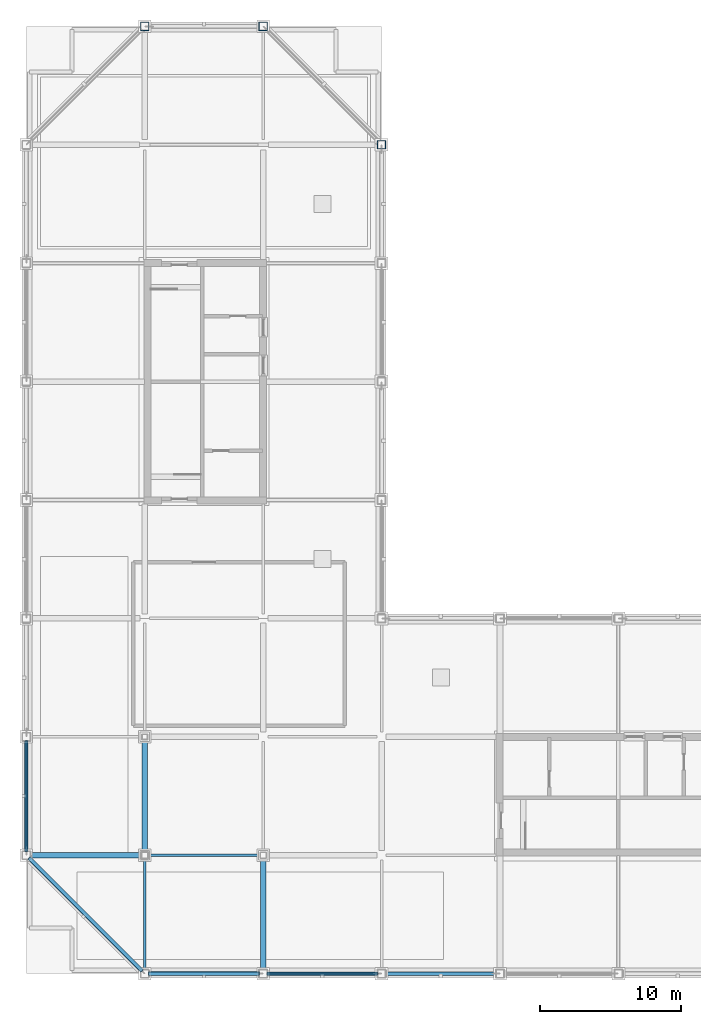
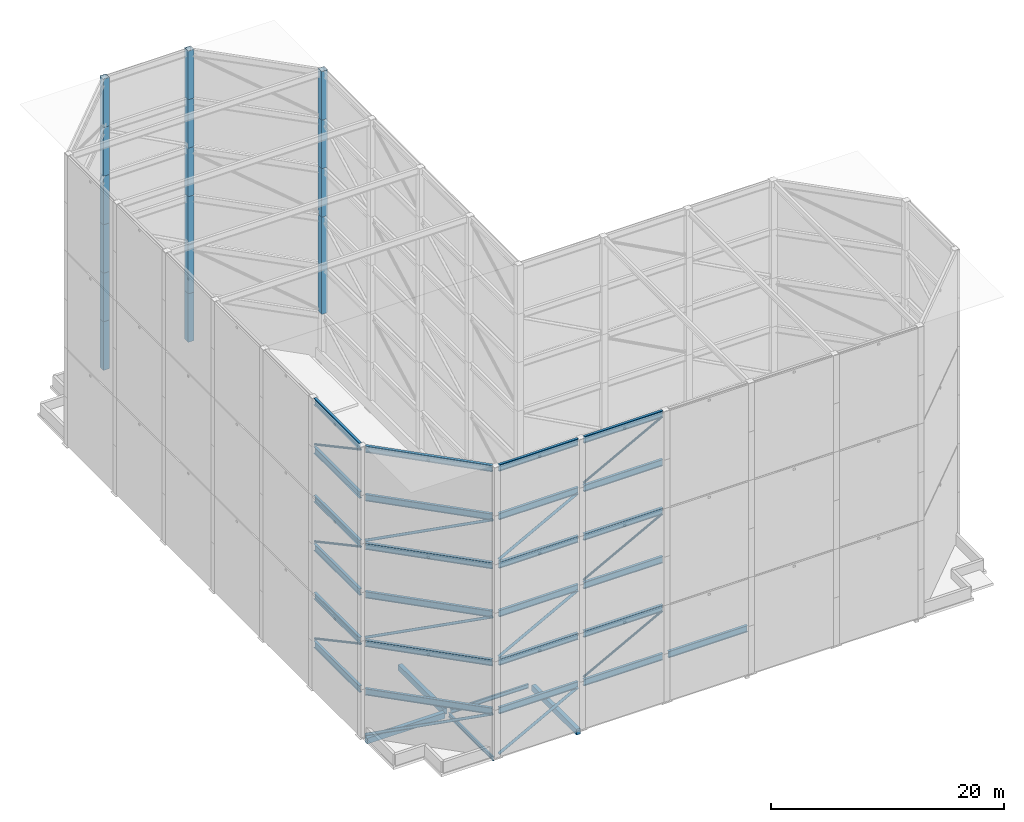
# One storey, part 3 of 17: 30 beams, 17 columns, 12 members.
"""IFC4 building model written with IfcOpenShell, lengths in metres."""

from ifc_helpers import new_model, si_unit, direction, frame, origin, origin_2d, place, context, subcontext, project, spatial, rectangle, hollow_rectangle, hollow_circle, i_section, extrude, material, material_profile, profile_set, type_object, element, save


model = new_model("IFC4")

# Units and contexts
model_context = context("Model", 3, precision=1e-05, world=origin(), true_north=direction((0.0, 1.0)))
body_context = subcontext(model_context, "Body", "Model", "MODEL_VIEW")
ifc_project = project(units=[si_unit("LENGTHUNIT", "METRE"), si_unit("AREAUNIT", "SQUARE_METRE"), si_unit("VOLUMEUNIT", "CUBIC_METRE"), si_unit("PLANEANGLEUNIT", "RADIAN"), si_unit("MASSUNIT", "GRAM", prefix="KILO")], contexts=[model_context])

# Site, building, storey
site_placement = place(None, origin())
site = spatial("IfcSite", under=ifc_project, at=site_placement, CompositionType="ELEMENT")
building_placement = place(site_placement, origin())
building = spatial("IfcBuilding", under=site, at=building_placement, Name="Koriwani Terraces Tower", CompositionType="ELEMENT")
storey_placement = place(building_placement, frame((0.0, 0.0, 374.0)))
storey = spatial("IfcBuildingStorey", under=building, at=storey_placement, Name="RF", CompositionType="ELEMENT", Elevation=374.0)

# Columns
ifc_material_1 = material(Name="Steel ASTM A572 Grade 50", Category="steel")
ifc_material_profile_1 = material_profile(ifc_material_1, hollow_rectangle(XDim=0.60009765625, YDim=0.60009765625, WallThickness=0.02490234375, at=origin_2d()), Name="Steel ASTM A572 Grade 50", Category="LoadBearing")
ifc_profile_set_1 = profile_set([ifc_material_profile_1], Name="Steel ASTM A572 Grade 50")
column_type = type_object("IfcColumnType", Name="CROWN_FRAME_COL_HSS600X600X25", PredefinedType="USERDEFINED", material=ifc_profile_set_1)
column_1_placement = place(storey_placement, frame((33.60009765625, 67.199951171875, 5.090087890625), z_axis=(0.0, 0.0, 1.0), x_axis=(1.0, 0.0, 0.0)))
element("IfcColumn", 1, at=column_1_placement, inside=storey, type_object=column_type, Name="CROWN FRAME Tier 2 Column P16", ObjectType="CROWN FRAME", PredefinedType="USERDEFINED", context=body_context, shape_type="SweptSolid", body=[
    extrude(hollow_rectangle(XDim=0.60009765625, YDim=0.60009765625, WallThickness=0.02490234375, at=origin_2d()), origin(), (0.0, 0.0, 1.0), 5.08984375),
])
for number, where, z_axis, x_axis, name in (
    (2, (33.60009765625, 67.199951171875, 10.179931640625), (0.0, 0.0, 1.0), (1.0, 0.0, 0.0), "CROWN FRAME Tier 3 Column P16"),
    (3, (33.60009765625, 67.199951171875, 15.27001953125), (0.0, 0.0, 1.0), (1.0, 0.0, 0.0), "CROWN FRAME Tier 4 Column P16"),
):
    element("IfcColumn", number, at=place(storey_placement, frame(where, z_axis=z_axis, x_axis=x_axis)), inside=storey, type_object=column_type, Name=name, ObjectType="CROWN FRAME", PredefinedType="USERDEFINED", context=body_context, shape_type="SweptSolid", body=[
        extrude(hollow_rectangle(XDim=0.60009765625, YDim=0.60009765625, WallThickness=0.02490234375, at=origin_2d()), origin(), (0.0, 0.0, 1.0), 5.090087890625),
    ])
column_2_placement = place(storey_placement, frame((33.60009765625, 67.199951171875, 20.360107421875), z_axis=(0.0, 0.0, 1.0), x_axis=(1.0, 0.0, 0.0)))
element("IfcColumn", 4, at=column_2_placement, inside=storey, type_object=column_type, Name="CROWN FRAME Tier 5 Column P16", ObjectType="CROWN FRAME", PredefinedType="USERDEFINED", context=body_context, shape_type="SweptSolid", body=[
    extrude(hollow_rectangle(XDim=0.60009765625, YDim=0.60009765625, WallThickness=0.02490234375, at=origin_2d()), origin(), (0.0, 0.0, 1.0), 5.08984375),
])
for number, where, z_axis, x_axis, name in (
    (5, (33.60009765625, 67.199951171875, 25.449951171875), (0.0, 0.0, 1.0), (1.0, 0.0, 0.0), "CROWN FRAME Tier 6 Column P16"),
    (6, (25.199951171875, 75.60009765625, 0.0), (0.0, 0.0, 1.0), (1.0, 0.0, 0.0), "CROWN FRAME Tier 1 Column P17"),
):
    element("IfcColumn", number, at=place(storey_placement, frame(where, z_axis=z_axis, x_axis=x_axis)), inside=storey, type_object=column_type, Name=name, ObjectType="CROWN FRAME", PredefinedType="USERDEFINED", context=body_context, shape_type="SweptSolid", body=[
        extrude(hollow_rectangle(XDim=0.60009765625, YDim=0.60009765625, WallThickness=0.02490234375, at=origin_2d()), origin(), (0.0, 0.0, 1.0), 5.090087890625),
    ])
column_3_placement = place(storey_placement, frame((25.199951171875, 75.60009765625, 5.090087890625), z_axis=(0.0, 0.0, 1.0), x_axis=(1.0, 0.0, 0.0)))
element("IfcColumn", 7, at=column_3_placement, inside=storey, type_object=column_type, Name="CROWN FRAME Tier 2 Column P17", ObjectType="CROWN FRAME", PredefinedType="USERDEFINED", context=body_context, shape_type="SweptSolid", body=[
    extrude(hollow_rectangle(XDim=0.60009765625, YDim=0.60009765625, WallThickness=0.02490234375, at=origin_2d()), origin(), (0.0, 0.0, 1.0), 5.08984375),
])
for number, where, z_axis, x_axis, name in (
    (8, (25.199951171875, 75.60009765625, 10.179931640625), (0.0, 0.0, 1.0), (1.0, 0.0, 0.0), "CROWN FRAME Tier 3 Column P17"),
    (9, (25.199951171875, 75.60009765625, 15.27001953125), (0.0, 0.0, 1.0), (1.0, 0.0, 0.0), "CROWN FRAME Tier 4 Column P17"),
):
    element("IfcColumn", number, at=place(storey_placement, frame(where, z_axis=z_axis, x_axis=x_axis)), inside=storey, type_object=column_type, Name=name, ObjectType="CROWN FRAME", PredefinedType="USERDEFINED", context=body_context, shape_type="SweptSolid", body=[
        extrude(hollow_rectangle(XDim=0.60009765625, YDim=0.60009765625, WallThickness=0.02490234375, at=origin_2d()), origin(), (0.0, 0.0, 1.0), 5.090087890625),
    ])
column_4_placement = place(storey_placement, frame((25.199951171875, 75.60009765625, 20.360107421875), z_axis=(0.0, 0.0, 1.0), x_axis=(1.0, 0.0, 0.0)))
element("IfcColumn", 10, at=column_4_placement, inside=storey, type_object=column_type, Name="CROWN FRAME Tier 5 Column P17", ObjectType="CROWN FRAME", PredefinedType="USERDEFINED", context=body_context, shape_type="SweptSolid", body=[
    extrude(hollow_rectangle(XDim=0.60009765625, YDim=0.60009765625, WallThickness=0.02490234375, at=origin_2d()), origin(), (0.0, 0.0, 1.0), 5.08984375),
])
for number, where, z_axis, x_axis, name in (
    (11, (25.199951171875, 75.60009765625, 25.449951171875), (0.0, 0.0, 1.0), (1.0, 0.0, 0.0), "CROWN FRAME Tier 6 Column P17"),
    (12, (16.800048828125, 75.60009765625, 0.0), (0.0, 0.0, 1.0), (1.0, 0.0, 0.0), "CROWN FRAME Tier 1 Column P18"),
):
    element("IfcColumn", number, at=place(storey_placement, frame(where, z_axis=z_axis, x_axis=x_axis)), inside=storey, type_object=column_type, Name=name, ObjectType="CROWN FRAME", PredefinedType="USERDEFINED", context=body_context, shape_type="SweptSolid", body=[
        extrude(hollow_rectangle(XDim=0.60009765625, YDim=0.60009765625, WallThickness=0.02490234375, at=origin_2d()), origin(), (0.0, 0.0, 1.0), 5.090087890625),
    ])
column_5_placement = place(storey_placement, frame((16.800048828125, 75.60009765625, 5.090087890625), z_axis=(0.0, 0.0, 1.0), x_axis=(1.0, 0.0, 0.0)))
element("IfcColumn", 13, at=column_5_placement, inside=storey, type_object=column_type, Name="CROWN FRAME Tier 2 Column P18", ObjectType="CROWN FRAME", PredefinedType="USERDEFINED", context=body_context, shape_type="SweptSolid", body=[
    extrude(hollow_rectangle(XDim=0.60009765625, YDim=0.60009765625, WallThickness=0.02490234375, at=origin_2d()), origin(), (0.0, 0.0, 1.0), 5.08984375),
])
for number, where, z_axis, x_axis, name in (
    (14, (16.800048828125, 75.60009765625, 10.179931640625), (0.0, 0.0, 1.0), (1.0, 0.0, 0.0), "CROWN FRAME Tier 3 Column P18"),
    (15, (16.800048828125, 75.60009765625, 15.27001953125), (0.0, 0.0, 1.0), (1.0, 0.0, 0.0), "CROWN FRAME Tier 4 Column P18"),
):
    element("IfcColumn", number, at=place(storey_placement, frame(where, z_axis=z_axis, x_axis=x_axis)), inside=storey, type_object=column_type, Name=name, ObjectType="CROWN FRAME", PredefinedType="USERDEFINED", context=body_context, shape_type="SweptSolid", body=[
        extrude(hollow_rectangle(XDim=0.60009765625, YDim=0.60009765625, WallThickness=0.02490234375, at=origin_2d()), origin(), (0.0, 0.0, 1.0), 5.090087890625),
    ])
column_6_placement = place(storey_placement, frame((16.800048828125, 75.60009765625, 20.360107421875), z_axis=(0.0, 0.0, 1.0), x_axis=(1.0, 0.0, 0.0)))
element("IfcColumn", 16, at=column_6_placement, inside=storey, type_object=column_type, Name="CROWN FRAME Tier 5 Column P18", ObjectType="CROWN FRAME", PredefinedType="USERDEFINED", context=body_context, shape_type="SweptSolid", body=[
    extrude(hollow_rectangle(XDim=0.60009765625, YDim=0.60009765625, WallThickness=0.02490234375, at=origin_2d()), origin(), (0.0, 0.0, 1.0), 5.08984375),
])
column_7_placement = place(storey_placement, frame((16.800048828125, 75.60009765625, 25.449951171875), z_axis=(0.0, 0.0, 1.0), x_axis=(1.0, 0.0, 0.0)))
element("IfcColumn", 17, at=column_7_placement, inside=storey, type_object=column_type, Name="CROWN FRAME Tier 6 Column P18", ObjectType="CROWN FRAME", PredefinedType="USERDEFINED", context=body_context, shape_type="SweptSolid", body=[
    extrude(hollow_rectangle(XDim=0.60009765625, YDim=0.60009765625, WallThickness=0.02490234375, at=origin_2d()), origin(), (0.0, 0.0, 1.0), 5.090087890625),
])

# Beams
ifc_material_2 = material(Name="Concrete C40/50", Category="concrete")
ifc_material_profile_2 = material_profile(ifc_material_2, rectangle(XDim=0.39990234375, YDim=0.60009765625, at=origin_2d()), Name="Concrete C40/50", Category="LoadBearing")
ifc_profile_set_2 = profile_set([ifc_material_profile_2], Name="Concrete C40/50")
beam_type_1 = type_object("IfcBeamType", Name="BEAM_RC_GRID_400X600", PredefinedType="BEAM", material=ifc_profile_set_2)
beam_1_placement = place(storey_placement, frame((8.780029296875, 16.800048828125, -0.580078125), z_axis=(1.0, 0.0, 0.0), x_axis=(0.0, 1.0, 0.0)))
element("IfcBeam", 18, at=beam_1_placement, inside=storey, type_object=beam_type_1, Name="RF Grid Beam C (8.4-16.8m)", PredefinedType="BEAM", context=body_context, shape_type="SweptSolid", body=[
    extrude(rectangle(XDim=0.39990234375, YDim=0.60009765625, at=origin_2d()), origin(), (0.0, 0.0, 1.0), 7.68994140625),
])
beam_2_placement = place(storey_placement, frame((16.800048828125, 17.1298828125, -0.580078125), z_axis=(0.0, 1.0, 0.0), x_axis=(-1.0, 0.0, 0.0)))
element("IfcBeam", 19, at=beam_2_placement, inside=storey, type_object=beam_type_1, Name="RF Grid Beam 3 (16.8-25.2m)", PredefinedType="BEAM", context=body_context, shape_type="SweptSolid", body=[
    extrude(rectangle(XDim=0.39990234375, YDim=0.60009765625, at=origin_2d()), origin(), (0.0, 0.0, 1.0), 7.740234375),
])
beam_3_placement = place(storey_placement, frame((25.199951171875, 8.780029296875, -0.580078125), z_axis=(0.0, 1.0, 0.0), x_axis=(-1.0, 0.0, 0.0)))
element("IfcBeam", 20, at=beam_3_placement, inside=storey, type_object=beam_type_1, Name="RF Grid Beam 4 (8.4-16.8m)", PredefinedType="BEAM", context=body_context, shape_type="SweptSolid", body=[
    extrude(rectangle(XDim=0.39990234375, YDim=0.60009765625, at=origin_2d()), origin(), (0.0, 0.0, 1.0), 7.68994140625),
])
ifc_material_profile_3 = material_profile(ifc_material_1, i_section(OverallWidth=0.256103515625, OverallDepth=0.693115234375, WebThickness=0.014404296875, FlangeThickness=0.023681640625, at=origin_2d()), Name="Steel ASTM A572 Grade 50", Category="LoadBearing")
ifc_profile_set_3 = profile_set([ifc_material_profile_3], Name="Steel ASTM A572 Grade 50")
beam_type_2 = type_object("IfcBeamType", Name="CROWN_FRAME_BEAM_W690X170", PredefinedType="USERDEFINED", material=ifc_profile_set_3)
beam_4_placement = place(storey_placement, frame((17.080078125, 8.39990234375, 20.013427734375), z_axis=(1.0, 0.0, 0.0), x_axis=(0.0, 1.0, 0.0)))
element("IfcBeam", 21, at=beam_4_placement, inside=storey, type_object=beam_type_2, Name="CROWN FRAME Tier 4 Ring Beam S01", ObjectType="CROWN FRAME", PredefinedType="USERDEFINED", context=body_context, shape_type="SweptSolid", body=[
    extrude(i_section(OverallWidth=0.256103515625, OverallDepth=0.693115234375, WebThickness=0.014404296875, FlangeThickness=0.023681640625, at=origin_2d()), origin(), (0.0, 0.0, 1.0), 7.83984375),
])
beam_5_placement = place(storey_placement, frame((25.47998046875, 8.39990234375, 20.013427734375), z_axis=(1.0, 0.0, 0.0), x_axis=(0.0, 1.0, 0.0)))
element("IfcBeam", 22, at=beam_5_placement, inside=storey, type_object=beam_type_2, Name="CROWN FRAME Tier 4 Ring Beam S02", ObjectType="CROWN FRAME", PredefinedType="USERDEFINED", context=body_context, shape_type="SweptSolid", body=[
    extrude(i_section(OverallWidth=0.256103515625, OverallDepth=0.693115234375, WebThickness=0.014404296875, FlangeThickness=0.023681640625, at=origin_2d()), origin(), (0.0, 0.0, 1.0), 7.840087890625),
])
beam_6_placement = place(storey_placement, frame((8.39990234375, 24.919921875, 20.013427734375), z_axis=(0.0, -1.0, 0.0), x_axis=(1.0, 0.0, 0.0)))
element("IfcBeam", 23, at=beam_6_placement, inside=storey, type_object=beam_type_2, Name="CROWN FRAME Tier 4 Ring Beam S24", ObjectType="CROWN FRAME", PredefinedType="USERDEFINED", context=body_context, shape_type="SweptSolid", body=[
    extrude(i_section(OverallWidth=0.256103515625, OverallDepth=0.693115234375, WebThickness=0.014404296875, FlangeThickness=0.023681640625, at=origin_2d()), origin(), (0.0, 0.0, 1.0), 7.83984375),
])
beam_7_placement = place(storey_placement, frame((8.597900390625, 16.60205078125, 20.013427734375), z_axis=(0.707106781187, -0.707106781187, 0.0), x_axis=(0.707106781187, 0.707106781187, 0.0)))
element("IfcBeam", 24, at=beam_7_placement, inside=storey, type_object=beam_type_2, Name="CROWN FRAME Tier 4 Ring Beam S25", ObjectType="CROWN FRAME", PredefinedType="USERDEFINED", context=body_context, shape_type="SweptSolid", body=[
    extrude(i_section(OverallWidth=0.256103515625, OverallDepth=0.693115234375, WebThickness=0.014404296875, FlangeThickness=0.023681640625, at=origin_2d()), origin(), (0.0, 0.0, 1.0), 11.319580078125),
])
beam_8_placement = place(storey_placement, frame((17.080078125, 8.39990234375, 25.103515625), z_axis=(1.0, 0.0, 0.0), x_axis=(0.0, 1.0, 0.0)))
element("IfcBeam", 25, at=beam_8_placement, inside=storey, type_object=beam_type_2, Name="CROWN FRAME Tier 5 Ring Beam S01", ObjectType="CROWN FRAME", PredefinedType="USERDEFINED", context=body_context, shape_type="SweptSolid", body=[
    extrude(i_section(OverallWidth=0.256103515625, OverallDepth=0.693115234375, WebThickness=0.014404296875, FlangeThickness=0.023681640625, at=origin_2d()), origin(), (0.0, 0.0, 1.0), 7.83984375),
])
beam_9_placement = place(storey_placement, frame((25.47998046875, 8.39990234375, 25.103515625), z_axis=(1.0, 0.0, 0.0), x_axis=(0.0, 1.0, 0.0)))
element("IfcBeam", 26, at=beam_9_placement, inside=storey, type_object=beam_type_2, Name="CROWN FRAME Tier 5 Ring Beam S02", ObjectType="CROWN FRAME", PredefinedType="USERDEFINED", context=body_context, shape_type="SweptSolid", body=[
    extrude(i_section(OverallWidth=0.256103515625, OverallDepth=0.693115234375, WebThickness=0.014404296875, FlangeThickness=0.023681640625, at=origin_2d()), origin(), (0.0, 0.0, 1.0), 7.840087890625),
])
beam_10_placement = place(storey_placement, frame((8.39990234375, 24.919921875, 25.103515625), z_axis=(0.0, -1.0, 0.0), x_axis=(1.0, 0.0, 0.0)))
element("IfcBeam", 27, at=beam_10_placement, inside=storey, type_object=beam_type_2, Name="CROWN FRAME Tier 5 Ring Beam S24", ObjectType="CROWN FRAME", PredefinedType="USERDEFINED", context=body_context, shape_type="SweptSolid", body=[
    extrude(i_section(OverallWidth=0.256103515625, OverallDepth=0.693115234375, WebThickness=0.014404296875, FlangeThickness=0.023681640625, at=origin_2d()), origin(), (0.0, 0.0, 1.0), 7.83984375),
])
beam_11_placement = place(storey_placement, frame((8.597900390625, 16.60205078125, 25.103515625), z_axis=(0.707106781187, -0.707106781187, 0.0), x_axis=(0.707106781187, 0.707106781187, 0.0)))
element("IfcBeam", 28, at=beam_11_placement, inside=storey, type_object=beam_type_2, Name="CROWN FRAME Tier 5 Ring Beam S25", ObjectType="CROWN FRAME", PredefinedType="USERDEFINED", context=body_context, shape_type="SweptSolid", body=[
    extrude(i_section(OverallWidth=0.256103515625, OverallDepth=0.693115234375, WebThickness=0.014404296875, FlangeThickness=0.023681640625, at=origin_2d()), origin(), (0.0, 0.0, 1.0), 11.319580078125),
])
beam_12_placement = place(storey_placement, frame((17.080078125, 8.39990234375, 30.193603515625), z_axis=(1.0, 0.0, 0.0), x_axis=(0.0, 1.0, 0.0)))
element("IfcBeam", 29, at=beam_12_placement, inside=storey, type_object=beam_type_2, Name="CROWN FRAME Tier 6 Ring Beam S01", ObjectType="CROWN FRAME", PredefinedType="USERDEFINED", context=body_context, shape_type="SweptSolid", body=[
    extrude(i_section(OverallWidth=0.256103515625, OverallDepth=0.693115234375, WebThickness=0.014404296875, FlangeThickness=0.023681640625, at=origin_2d()), origin(), (0.0, 0.0, 1.0), 7.83984375),
])
beam_13_placement = place(storey_placement, frame((25.47998046875, 8.39990234375, 30.193603515625), z_axis=(1.0, 0.0, 0.0), x_axis=(0.0, 1.0, 0.0)))
element("IfcBeam", 30, at=beam_13_placement, inside=storey, type_object=beam_type_2, Name="CROWN FRAME Tier 6 Ring Beam S02", ObjectType="CROWN FRAME", PredefinedType="USERDEFINED", context=body_context, shape_type="SweptSolid", body=[
    extrude(i_section(OverallWidth=0.256103515625, OverallDepth=0.693115234375, WebThickness=0.014404296875, FlangeThickness=0.023681640625, at=origin_2d()), origin(), (0.0, 0.0, 1.0), 7.840087890625),
])
beam_14_placement = place(storey_placement, frame((8.39990234375, 24.919921875, 30.193603515625), z_axis=(0.0, -1.0, 0.0), x_axis=(1.0, 0.0, 0.0)))
element("IfcBeam", 31, at=beam_14_placement, inside=storey, type_object=beam_type_2, Name="CROWN FRAME Tier 6 Ring Beam S24", ObjectType="CROWN FRAME", PredefinedType="USERDEFINED", context=body_context, shape_type="SweptSolid", body=[
    extrude(i_section(OverallWidth=0.256103515625, OverallDepth=0.693115234375, WebThickness=0.014404296875, FlangeThickness=0.023681640625, at=origin_2d()), origin(), (0.0, 0.0, 1.0), 7.83984375),
])
beam_15_placement = place(storey_placement, frame((8.597900390625, 16.60205078125, 30.193603515625), z_axis=(0.707106781187, -0.707106781187, 0.0), x_axis=(0.707106781187, 0.707106781187, 0.0)))
element("IfcBeam", 32, at=beam_15_placement, inside=storey, type_object=beam_type_2, Name="CROWN FRAME Tier 6 Ring Beam S25", ObjectType="CROWN FRAME", PredefinedType="USERDEFINED", context=body_context, shape_type="SweptSolid", body=[
    extrude(i_section(OverallWidth=0.256103515625, OverallDepth=0.693115234375, WebThickness=0.014404296875, FlangeThickness=0.023681640625, at=origin_2d()), origin(), (0.0, 0.0, 1.0), 11.319580078125),
])
ifc_material_profile_4 = material_profile(ifc_material_1, i_section(OverallWidth=0.2548828125, OverallDepth=0.695068359375, WebThickness=0.015380859375, FlangeThickness=0.02490234375, at=origin_2d()), Name="Steel ASTM A572 Grade 50", Category="LoadBearing")
ifc_profile_set_4 = profile_set([ifc_material_profile_4], Name="Steel ASTM A572 Grade 50")
beam_type_3 = type_object("IfcBeamType", Name="CROWN_FRAME_BEAM_W690X217", PredefinedType="USERDEFINED", material=ifc_profile_set_4)
beam_16_placement = place(storey_placement, frame((17.080078125, 8.39990234375, 4.742431640625), z_axis=(1.0, 0.0, 0.0), x_axis=(0.0, 1.0, 0.0)))
element("IfcBeam", 33, at=beam_16_placement, inside=storey, type_object=beam_type_3, Name="CROWN FRAME Tier 1 Ring Beam S01", ObjectType="CROWN FRAME", PredefinedType="USERDEFINED", context=body_context, shape_type="SweptSolid", body=[
    extrude(i_section(OverallWidth=0.2548828125, OverallDepth=0.695068359375, WebThickness=0.015380859375, FlangeThickness=0.02490234375, at=origin_2d()), origin(), (0.0, 0.0, 1.0), 7.83984375),
])
for number, where, z_axis, x_axis, name in (
    (34, (25.47998046875, 8.39990234375, 4.742431640625), (1.0, 0.0, 0.0), (0.0, 1.0, 0.0), "CROWN FRAME Tier 1 Ring Beam S02"),
    (35, (33.8798828125, 8.39990234375, 4.742431640625), (1.0, 0.0, 0.0), (0.0, 1.0, 0.0), "CROWN FRAME Tier 1 Ring Beam S03"),
):
    element("IfcBeam", number, at=place(storey_placement, frame(where, z_axis=z_axis, x_axis=x_axis)), inside=storey, type_object=beam_type_3, Name=name, ObjectType="CROWN FRAME", PredefinedType="USERDEFINED", context=body_context, shape_type="SweptSolid", body=[
        extrude(i_section(OverallWidth=0.2548828125, OverallDepth=0.695068359375, WebThickness=0.015380859375, FlangeThickness=0.02490234375, at=origin_2d()), origin(), (0.0, 0.0, 1.0), 7.840087890625),
    ])
beam_17_placement = place(storey_placement, frame((8.39990234375, 24.919921875, 4.742431640625), z_axis=(0.0, -1.0, 0.0), x_axis=(1.0, 0.0, 0.0)))
element("IfcBeam", 36, at=beam_17_placement, inside=storey, type_object=beam_type_3, Name="CROWN FRAME Tier 1 Ring Beam S24", ObjectType="CROWN FRAME", PredefinedType="USERDEFINED", context=body_context, shape_type="SweptSolid", body=[
    extrude(i_section(OverallWidth=0.2548828125, OverallDepth=0.695068359375, WebThickness=0.015380859375, FlangeThickness=0.02490234375, at=origin_2d()), origin(), (0.0, 0.0, 1.0), 7.83984375),
])
beam_18_placement = place(storey_placement, frame((8.597900390625, 16.60205078125, 4.742431640625), z_axis=(0.707106781187, -0.707106781187, 0.0), x_axis=(0.707106781187, 0.707106781187, 0.0)))
element("IfcBeam", 37, at=beam_18_placement, inside=storey, type_object=beam_type_3, Name="CROWN FRAME Tier 1 Ring Beam S25", ObjectType="CROWN FRAME", PredefinedType="USERDEFINED", context=body_context, shape_type="SweptSolid", body=[
    extrude(i_section(OverallWidth=0.2548828125, OverallDepth=0.695068359375, WebThickness=0.015380859375, FlangeThickness=0.02490234375, at=origin_2d()), origin(), (0.0, 0.0, 1.0), 11.319580078125),
])
beam_19_placement = place(storey_placement, frame((17.080078125, 8.39990234375, 9.83251953125), z_axis=(1.0, 0.0, 0.0), x_axis=(0.0, 1.0, 0.0)))
element("IfcBeam", 38, at=beam_19_placement, inside=storey, type_object=beam_type_3, Name="CROWN FRAME Tier 2 Ring Beam S01", ObjectType="CROWN FRAME", PredefinedType="USERDEFINED", context=body_context, shape_type="SweptSolid", body=[
    extrude(i_section(OverallWidth=0.2548828125, OverallDepth=0.695068359375, WebThickness=0.015380859375, FlangeThickness=0.02490234375, at=origin_2d()), origin(), (0.0, 0.0, 1.0), 7.83984375),
])
beam_20_placement = place(storey_placement, frame((25.47998046875, 8.39990234375, 9.83251953125), z_axis=(1.0, 0.0, 0.0), x_axis=(0.0, 1.0, 0.0)))
element("IfcBeam", 39, at=beam_20_placement, inside=storey, type_object=beam_type_3, Name="CROWN FRAME Tier 2 Ring Beam S02", ObjectType="CROWN FRAME", PredefinedType="USERDEFINED", context=body_context, shape_type="SweptSolid", body=[
    extrude(i_section(OverallWidth=0.2548828125, OverallDepth=0.695068359375, WebThickness=0.015380859375, FlangeThickness=0.02490234375, at=origin_2d()), origin(), (0.0, 0.0, 1.0), 7.840087890625),
])
beam_21_placement = place(storey_placement, frame((8.39990234375, 24.919921875, 9.83251953125), z_axis=(0.0, -1.0, 0.0), x_axis=(1.0, 0.0, 0.0)))
element("IfcBeam", 40, at=beam_21_placement, inside=storey, type_object=beam_type_3, Name="CROWN FRAME Tier 2 Ring Beam S24", ObjectType="CROWN FRAME", PredefinedType="USERDEFINED", context=body_context, shape_type="SweptSolid", body=[
    extrude(i_section(OverallWidth=0.2548828125, OverallDepth=0.695068359375, WebThickness=0.015380859375, FlangeThickness=0.02490234375, at=origin_2d()), origin(), (0.0, 0.0, 1.0), 7.83984375),
])
beam_22_placement = place(storey_placement, frame((8.597900390625, 16.60205078125, 9.83251953125), z_axis=(0.707106781187, -0.707106781187, 0.0), x_axis=(0.707106781187, 0.707106781187, 0.0)))
element("IfcBeam", 41, at=beam_22_placement, inside=storey, type_object=beam_type_3, Name="CROWN FRAME Tier 2 Ring Beam S25", ObjectType="CROWN FRAME", PredefinedType="USERDEFINED", context=body_context, shape_type="SweptSolid", body=[
    extrude(i_section(OverallWidth=0.2548828125, OverallDepth=0.695068359375, WebThickness=0.015380859375, FlangeThickness=0.02490234375, at=origin_2d()), origin(), (0.0, 0.0, 1.0), 11.319580078125),
])
beam_23_placement = place(storey_placement, frame((17.080078125, 8.39990234375, 14.922607421875), z_axis=(1.0, 0.0, 0.0), x_axis=(0.0, 1.0, 0.0)))
element("IfcBeam", 42, at=beam_23_placement, inside=storey, type_object=beam_type_3, Name="CROWN FRAME Tier 3 Ring Beam S01", ObjectType="CROWN FRAME", PredefinedType="USERDEFINED", context=body_context, shape_type="SweptSolid", body=[
    extrude(i_section(OverallWidth=0.2548828125, OverallDepth=0.695068359375, WebThickness=0.015380859375, FlangeThickness=0.02490234375, at=origin_2d()), origin(), (0.0, 0.0, 1.0), 7.83984375),
])
beam_24_placement = place(storey_placement, frame((25.47998046875, 8.39990234375, 14.922607421875), z_axis=(1.0, 0.0, 0.0), x_axis=(0.0, 1.0, 0.0)))
element("IfcBeam", 43, at=beam_24_placement, inside=storey, type_object=beam_type_3, Name="CROWN FRAME Tier 3 Ring Beam S02", ObjectType="CROWN FRAME", PredefinedType="USERDEFINED", context=body_context, shape_type="SweptSolid", body=[
    extrude(i_section(OverallWidth=0.2548828125, OverallDepth=0.695068359375, WebThickness=0.015380859375, FlangeThickness=0.02490234375, at=origin_2d()), origin(), (0.0, 0.0, 1.0), 7.840087890625),
])
beam_25_placement = place(storey_placement, frame((8.39990234375, 24.919921875, 14.922607421875), z_axis=(0.0, -1.0, 0.0), x_axis=(1.0, 0.0, 0.0)))
element("IfcBeam", 44, at=beam_25_placement, inside=storey, type_object=beam_type_3, Name="CROWN FRAME Tier 3 Ring Beam S24", ObjectType="CROWN FRAME", PredefinedType="USERDEFINED", context=body_context, shape_type="SweptSolid", body=[
    extrude(i_section(OverallWidth=0.2548828125, OverallDepth=0.695068359375, WebThickness=0.015380859375, FlangeThickness=0.02490234375, at=origin_2d()), origin(), (0.0, 0.0, 1.0), 7.83984375),
])
beam_26_placement = place(storey_placement, frame((8.597900390625, 16.60205078125, 14.922607421875), z_axis=(0.707106781187, -0.707106781187, 0.0), x_axis=(0.707106781187, 0.707106781187, 0.0)))
element("IfcBeam", 45, at=beam_26_placement, inside=storey, type_object=beam_type_3, Name="CROWN FRAME Tier 3 Ring Beam S25", ObjectType="CROWN FRAME", PredefinedType="USERDEFINED", context=body_context, shape_type="SweptSolid", body=[
    extrude(i_section(OverallWidth=0.2548828125, OverallDepth=0.695068359375, WebThickness=0.015380859375, FlangeThickness=0.02490234375, at=origin_2d()), origin(), (0.0, 0.0, 1.0), 11.319580078125),
])

# Members
ifc_material_profile_5 = material_profile(ifc_material_1, hollow_circle(Radius=0.109619140625, WallThickness=0.008056640625, at=origin_2d()), Name="Steel ASTM A572 Grade 50", Category="LoadBearing")
ifc_profile_set_5 = profile_set([ifc_material_profile_5], Name="Steel ASTM A572 Grade 50")
member_type_1 = type_object("IfcMemberType", Name="CROWN_FRAME_BRACE_CHS219X8", PredefinedType="USERDEFINED", material=ifc_profile_set_5)
for number, where, z_axis, x_axis, name in (
    (46, (25.47998046875, 8.39990234375, 5.2900390625), (0.880787078054, 0.0, 0.473512537462), (0.0, 1.0, 0.0), "CROWN FRAME Tier 2 Diagonal Brace S02"),
    (47, (8.39990234375, 24.919921875, 5.2900390625), (0.0, -0.880780928144, 0.473523976815), (1.0, 0.0, 0.0), "CROWN FRAME Tier 2 Diagonal Brace S24"),
):
    element("IfcMember", number, at=place(storey_placement, frame(where, z_axis=z_axis, x_axis=x_axis)), inside=storey, type_object=member_type_1, Name=name, ObjectType="CROWN FRAME", PredefinedType="USERDEFINED", context=body_context, shape_type="SweptSolid", body=[
        extrude(hollow_circle(Radius=0.109619140625, WallThickness=0.008056640625, at=origin_2d()), origin(), (0.0, 0.0, 1.0), 8.901123046875),
    ])
member_1_placement = place(storey_placement, frame((25.47998046875, 8.39990234375, 15.469970703125), z_axis=(0.880684117229, 0.0, 0.47370400638), x_axis=(0.0, 1.0, 0.0)))
element("IfcMember", 48, at=member_1_placement, inside=storey, type_object=member_type_1, Name="CROWN FRAME Tier 4 Diagonal Brace S02", ObjectType="CROWN FRAME", PredefinedType="USERDEFINED", context=body_context, shape_type="SweptSolid", body=[
    extrude(hollow_circle(Radius=0.109619140625, WallThickness=0.008056640625, at=origin_2d()), origin(), (0.0, 0.0, 1.0), 8.90234375),
])
member_2_placement = place(storey_placement, frame((8.39990234375, 24.919921875, 15.469970703125), z_axis=(0.0, -0.880677963064, 0.473715447683), x_axis=(1.0, 0.0, 0.0)))
element("IfcMember", 49, at=member_2_placement, inside=storey, type_object=member_type_1, Name="CROWN FRAME Tier 4 Diagonal Brace S24", ObjectType="CROWN FRAME", PredefinedType="USERDEFINED", context=body_context, shape_type="SweptSolid", body=[
    extrude(hollow_circle(Radius=0.109619140625, WallThickness=0.008056640625, at=origin_2d()), origin(), (0.0, 0.0, 1.0), 8.902099609375),
])
member_3_placement = place(storey_placement, frame((25.47998046875, 8.39990234375, 25.64990234375), z_axis=(0.880684117229, 0.0, 0.47370400638), x_axis=(0.0, 1.0, 0.0)))
element("IfcMember", 50, at=member_3_placement, inside=storey, type_object=member_type_1, Name="CROWN FRAME Tier 6 Diagonal Brace S02", ObjectType="CROWN FRAME", PredefinedType="USERDEFINED", context=body_context, shape_type="SweptSolid", body=[
    extrude(hollow_circle(Radius=0.109619140625, WallThickness=0.008056640625, at=origin_2d()), origin(), (0.0, 0.0, 1.0), 8.90234375),
])
member_4_placement = place(storey_placement, frame((8.39990234375, 24.919921875, 25.64990234375), z_axis=(0.0, -0.880677963064, 0.473715447683), x_axis=(1.0, 0.0, 0.0)))
element("IfcMember", 51, at=member_4_placement, inside=storey, type_object=member_type_1, Name="CROWN FRAME Tier 6 Diagonal Brace S24", ObjectType="CROWN FRAME", PredefinedType="USERDEFINED", context=body_context, shape_type="SweptSolid", body=[
    extrude(hollow_circle(Radius=0.109619140625, WallThickness=0.008056640625, at=origin_2d()), origin(), (0.0, 0.0, 1.0), 8.902099609375),
])
ifc_material_profile_6 = material_profile(ifc_material_1, hollow_circle(Radius=0.136474609375, WallThickness=0.010009765625, at=origin_2d()), Name="Steel ASTM A572 Grade 50", Category="LoadBearing")
ifc_profile_set_6 = profile_set([ifc_material_profile_6], Name="Steel ASTM A572 Grade 50")
member_type_2 = type_object("IfcMemberType", Name="CROWN_FRAME_BRACE_CHS273X10", PredefinedType="USERDEFINED", material=ifc_profile_set_6)
member_5_placement = place(storey_placement, frame((17.080078125, 8.39990234375, 0.199951171875), z_axis=(0.880769488446, 0.0, 0.473545254672), x_axis=(0.0, 1.0, 0.0)))
element("IfcMember", 52, at=member_5_placement, inside=storey, type_object=member_type_2, Name="CROWN FRAME Tier 1 Diagonal Brace S01", ObjectType="CROWN FRAME", PredefinedType="USERDEFINED", context=body_context, shape_type="SweptSolid", body=[
    extrude(hollow_circle(Radius=0.136474609375, WallThickness=0.010009765625, at=origin_2d()), origin(), (0.0, 0.0, 1.0), 8.901123046875),
])
member_6_placement = place(storey_placement, frame((8.597900390625, 16.60205078125, 0.199951171875), z_axis=(0.662655600172, -0.662655600172, 0.348962907945), x_axis=(0.707106781187, 0.707106781187, 0.0)))
element("IfcMember", 53, at=member_6_placement, inside=storey, type_object=member_type_2, Name="CROWN FRAME Tier 1 Diagonal Brace S25", ObjectType="CROWN FRAME", PredefinedType="USERDEFINED", context=body_context, shape_type="SweptSolid", body=[
    extrude(hollow_circle(Radius=0.136474609375, WallThickness=0.010009765625, at=origin_2d()), origin(), (0.0, 0.0, 1.0), 12.078857421875),
])
member_7_placement = place(storey_placement, frame((17.080078125, 8.39990234375, 10.3798828125), z_axis=(0.880769488446, 0.0, 0.473545254672), x_axis=(0.0, 1.0, 0.0)))
element("IfcMember", 54, at=member_7_placement, inside=storey, type_object=member_type_2, Name="CROWN FRAME Tier 3 Diagonal Brace S01", ObjectType="CROWN FRAME", PredefinedType="USERDEFINED", context=body_context, shape_type="SweptSolid", body=[
    extrude(hollow_circle(Radius=0.136474609375, WallThickness=0.010009765625, at=origin_2d()), origin(), (0.0, 0.0, 1.0), 8.901123046875),
])
member_8_placement = place(storey_placement, frame((8.597900390625, 16.60205078125, 10.3798828125), z_axis=(0.662655600172, -0.662655600172, 0.348962907945), x_axis=(0.707106781187, 0.707106781187, 0.0)))
element("IfcMember", 55, at=member_8_placement, inside=storey, type_object=member_type_2, Name="CROWN FRAME Tier 3 Diagonal Brace S25", ObjectType="CROWN FRAME", PredefinedType="USERDEFINED", context=body_context, shape_type="SweptSolid", body=[
    extrude(hollow_circle(Radius=0.136474609375, WallThickness=0.010009765625, at=origin_2d()), origin(), (0.0, 0.0, 1.0), 12.078857421875),
])
member_9_placement = place(storey_placement, frame((17.080078125, 8.39990234375, 20.56005859375), z_axis=(0.880677963064, 0.0, 0.473715447683), x_axis=(0.0, 1.0, 0.0)))
element("IfcMember", 56, at=member_9_placement, inside=storey, type_object=member_type_2, Name="CROWN FRAME Tier 5 Diagonal Brace S01", ObjectType="CROWN FRAME", PredefinedType="USERDEFINED", context=body_context, shape_type="SweptSolid", body=[
    extrude(hollow_circle(Radius=0.136474609375, WallThickness=0.010009765625, at=origin_2d()), origin(), (0.0, 0.0, 1.0), 8.902099609375),
])
member_10_placement = place(storey_placement, frame((8.597900390625, 16.60205078125, 20.56005859375), z_axis=(0.66261820344, -0.66261820344, 0.349104902486), x_axis=(0.707106781187, 0.707106781187, 0.0)))
element("IfcMember", 57, at=member_10_placement, inside=storey, type_object=member_type_2, Name="CROWN FRAME Tier 5 Diagonal Brace S25", ObjectType="CROWN FRAME", PredefinedType="USERDEFINED", context=body_context, shape_type="SweptSolid", body=[
    extrude(hollow_circle(Radius=0.136474609375, WallThickness=0.010009765625, at=origin_2d()), origin(), (0.0, 0.0, 1.0), 12.07958984375),
])

# Beams
ifc_material_profile_7 = material_profile(ifc_material_1, i_section(OverallWidth=0.180908203125, OverallDepth=0.4169921875, WebThickness=0.010986328125, FlangeThickness=0.018310546875, at=origin_2d()), Name="Steel ASTM A572 Grade 50", Category="LoadBearing")
ifc_profile_set_7 = profile_set([ifc_material_profile_7], Name="Steel ASTM A572 Grade 50")
beam_type_4 = type_object("IfcBeamType", Name="STEEL_BEAM_W410X85", PredefinedType="JOIST", material=ifc_profile_set_7)
beam_27_placement = place(storey_placement, frame((17.1298828125, 16.800048828125, -0.488525390625), z_axis=(1.0, 0.0, 0.0), x_axis=(0.0, 1.0, 0.0)))
element("IfcBeam", 58, at=beam_27_placement, inside=storey, type_object=beam_type_4, Name="RF Grid Beam C (16.8-25.2m)", PredefinedType="JOIST", context=body_context, shape_type="SweptSolid", body=[
    extrude(i_section(OverallWidth=0.180908203125, OverallDepth=0.4169921875, WebThickness=0.010986328125, FlangeThickness=0.018310546875, at=origin_2d()), origin(), (0.0, 0.0, 1.0), 7.740234375),
])
beam_28_placement = place(storey_placement, frame((16.800048828125, 8.780029296875, -0.488525390625), z_axis=(0.0, 1.0, 0.0), x_axis=(-1.0, 0.0, 0.0)))
element("IfcBeam", 59, at=beam_28_placement, inside=storey, type_object=beam_type_4, Name="RF Grid Beam 3 (8.4-16.8m)", PredefinedType="JOIST", context=body_context, shape_type="SweptSolid", body=[
    extrude(i_section(OverallWidth=0.180908203125, OverallDepth=0.4169921875, WebThickness=0.010986328125, FlangeThickness=0.018310546875, at=origin_2d()), origin(), (0.0, 0.0, 1.0), 7.68994140625),
])

save(model, "model.ifc")
